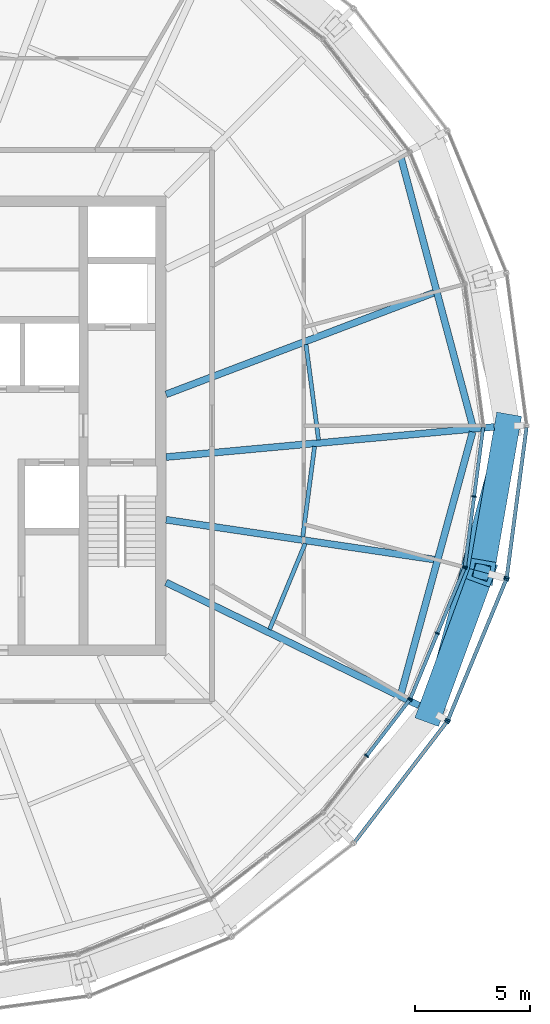
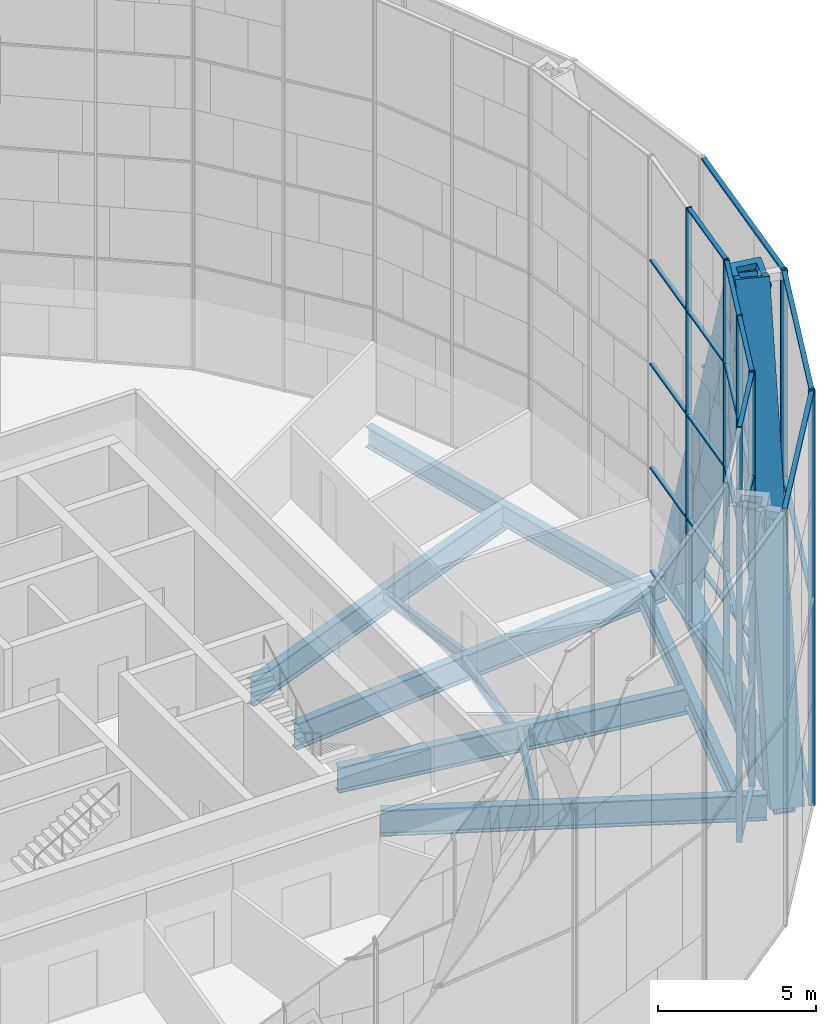
# One storey, part 6 of 28: 44 members, 10 beams, 6 elements without a shape of their own.
"""IFC4 building model written with IfcOpenShell, lengths in metres."""

from ifc_helpers import new_model, si_unit, direction, frame, origin, origin_2d, place, context, subcontext, project, spatial, rectangle, hollow_rectangle, i_section, extrude, material, material_profile, profile_set, type_object, element, aggregate, save


model = new_model("IFC4")

# Units and contexts
model_context = context("Model", 3, precision=1e-05, world=origin(), true_north=direction((0.0, 1.0)))
body_context = subcontext(model_context, "Body", "Model", "MODEL_VIEW")
ifc_project = project(units=[si_unit("LENGTHUNIT", "METRE"), si_unit("AREAUNIT", "SQUARE_METRE"), si_unit("VOLUMEUNIT", "CUBIC_METRE"), si_unit("PLANEANGLEUNIT", "RADIAN"), si_unit("MASSUNIT", "GRAM", prefix="KILO")], contexts=[model_context])

# Site, building, storey
site_placement = place(None, origin())
site = spatial("IfcSite", under=ifc_project, at=site_placement, CompositionType="ELEMENT")
building_placement = place(site_placement, origin())
building = spatial("IfcBuilding", under=site, at=building_placement, Name="Golbaran Civic Tower", CompositionType="ELEMENT")
storey_placement = place(building_placement, frame((0.0, 0.0, 183.0)))
storey = spatial("IfcBuildingStorey", under=building, at=storey_placement, Name="L44", CompositionType="ELEMENT", Elevation=183.0)

# Members
ifc_material_1 = material(Name="Steel S355", Category="steel")
ifc_material_profile_1 = material_profile(ifc_material_1, hollow_rectangle(XDim=1.10009765625, YDim=1.10009765625, WallThickness=0.199951171875, at=origin_2d()), Name="BOX 1100x1100x200")
ifc_profile_set_1 = profile_set([ifc_material_profile_1], Name="Steel S355")
member_type_1 = type_object("IfcMemberType", Name="DIAGRID DIAGONAL BOX 1100x1100x200", PredefinedType="BRACE", material=ifc_profile_set_1)
for number, where, z_axis, x_axis, name in (
    (1, (24.846923828125, 0.0, -0.7099609375), (-0.064127942686, -0.368693220348, 0.927336463338), (0.985208424474, -0.171360323139, 0.0), "Diagonal D10-00L L44-L48"),
    (2, (21.51806640625, -12.423583984375, -0.7099609375), (0.128807878317, 0.351359818356, 0.927337483621), (-0.938897090127, 0.344197986848, 0.0), "Diagonal D10-11R L44-L48"),
):
    element("IfcMember", number, at=place(storey_placement, frame(where, z_axis=z_axis, x_axis=x_axis)), inside=storey, type_object=member_type_1, Name=name, PredefinedType="BRACE", context=body_context, shape_type="SweptSolid", body=[
        extrude(hollow_rectangle(XDim=1.10009765625, YDim=1.10009765625, WallThickness=0.199951171875, at=origin_2d()), origin(), (0.0, 0.0, 1.0), 17.253662109375),
    ])

# Beams
ifc_material_profile_2 = material_profile(ifc_material_1, hollow_rectangle(XDim=0.699951171875, YDim=0.699951171875, WallThickness=0.080078125, at=origin_2d()), Name="BOX 700x700x80")
ifc_profile_set_2 = profile_set([ifc_material_profile_2], Name="Steel S355")
beam_type_1 = type_object("IfcBeamType", Name="DIAGRID RING TIE BOX 700x700x80", PredefinedType="BEAM", material=ifc_profile_set_2)
beam_1_placement = place(storey_placement, frame((21.51806640625, -12.423583984375, -0.7099609375), z_axis=(0.258816732935, 0.965926445829, 0.0), x_axis=(-0.965926445829, 0.258816732935, 0.0)))
element("IfcBeam", 3, at=beam_1_placement, inside=storey, type_object=beam_type_1, Name="Ring tie 330.00 L44", PredefinedType="BEAM", context=body_context, shape_type="SweptSolid", body=[
    extrude(hollow_rectangle(XDim=0.699951171875, YDim=0.699951171875, WallThickness=0.080078125, at=origin_2d()), origin(), (0.0, 0.0, 1.0), 12.86181640625),
])
ifc_material_profile_3 = material_profile(ifc_material_1, i_section(OverallWidth=0.300048828125, OverallDepth=0.800048828125, WebThickness=0.017578125, FlangeThickness=0.032958984375, FilletRadius=0.030029296875, at=origin_2d()), Name="HEB 800")
ifc_profile_set_3 = profile_set([ifc_material_profile_3], Name="Steel S355")
beam_type_2 = type_object("IfcBeamType", Name="EDGE BEAM HEB 800", PredefinedType="BEAM", material=ifc_profile_set_3)
beam_2_placement = place(storey_placement, frame((23.34375, -0.007568359375, -0.60009765625), z_axis=(-0.258178863728, 0.966097135036, 0.0), x_axis=(-0.966097135036, -0.258178863728, 0.0)))
element("IfcBeam", 4, at=beam_2_placement, inside=storey, type_object=beam_type_2, Name="Edge beam 0.00 L44", PredefinedType="BEAM", context=body_context, shape_type="SweptSolid", body=[
    extrude(i_section(OverallWidth=0.300048828125, OverallDepth=0.800048828125, WebThickness=0.017578125, FlangeThickness=0.032958984375, FilletRadius=0.030029296875, at=origin_2d()), origin(), (0.0, 0.0, 1.0), 12.068115234375),
])
beam_3_placement = place(storey_placement, frame((20.228759765625, -11.65185546875, -0.60009765625), z_axis=(0.263754546618, 0.964589829481, 0.0), x_axis=(-0.964589829481, 0.263754546618, 0.0)))
element("IfcBeam", 5, at=beam_3_placement, inside=storey, type_object=beam_type_2, Name="Edge beam 330.00 L44", PredefinedType="BEAM", context=body_context, shape_type="SweptSolid", body=[
    extrude(i_section(OverallWidth=0.300048828125, OverallDepth=0.800048828125, WebThickness=0.017578125, FlangeThickness=0.032958984375, FilletRadius=0.030029296875, at=origin_2d()), origin(), (0.0, 0.0, 1.0), 11.801025390625),
])
ifc_material_profile_4 = material_profile(ifc_material_1, i_section(OverallWidth=0.179931640625, OverallDepth=0.39990234375, WebThickness=0.008544921875, FlangeThickness=0.013427734375, FilletRadius=0.02099609375, at=origin_2d()), Name="IPE 400")
ifc_profile_set_4 = profile_set([ifc_material_profile_4], Name="Steel S355")
beam_type_3 = type_object("IfcBeamType", Name="FLOOR INFILL BEAM IPE 400", PredefinedType="BEAM", material=ifc_profile_set_4)
beam_4_placement = place(storey_placement, frame((16.638427734375, -0.623779296875, -0.39990234375), z_axis=(-0.130540286617, 0.991443005709, 0.0), x_axis=(-0.991443005709, -0.130540286617, 0.0)))
element("IfcBeam", 6, at=beam_4_placement, inside=storey, type_object=beam_type_3, Name="Infill beam 7.50 L44", PredefinedType="BEAM", context=body_context, shape_type="SweptSolid", body=[
    extrude(i_section(OverallWidth=0.179931640625, OverallDepth=0.39990234375, WebThickness=0.008544921875, FlangeThickness=0.013427734375, FilletRadius=0.02099609375, at=origin_2d()), origin(), (0.0, 0.0, 1.0), 4.19677734375),
])
beam_5_placement = place(storey_placement, frame((14.505126953125, -8.8681640625, -0.39990234375), z_axis=(0.382711690348, 0.923867827165, 0.0), x_axis=(-0.923867827165, 0.382711690348, 0.0)))
element("IfcBeam", 7, at=beam_5_placement, inside=storey, type_object=beam_type_3, Name="Infill beam 337.50 L44", PredefinedType="BEAM", context=body_context, shape_type="SweptSolid", body=[
    extrude(i_section(OverallWidth=0.179931640625, OverallDepth=0.39990234375, WebThickness=0.008544921875, FlangeThickness=0.013427734375, FilletRadius=0.02099609375, at=origin_2d()), origin(), (0.0, 0.0, 1.0), 4.053955078125),
])
beam_6_placement = place(storey_placement, frame((15.945556640625, -4.84326171875, -0.39990234375), z_axis=(0.130530746869, 0.991444261732, 0.0), x_axis=(-0.991444261732, 0.130530746869, 0.0)))
element("IfcBeam", 8, at=beam_6_placement, inside=storey, type_object=beam_type_3, Name="Infill beam 352.50 L44", PredefinedType="BEAM", context=body_context, shape_type="SweptSolid", body=[
    extrude(i_section(OverallWidth=0.179931640625, OverallDepth=0.39990234375, WebThickness=0.008544921875, FlangeThickness=0.013427734375, FilletRadius=0.02099609375, at=origin_2d()), origin(), (0.0, 0.0, 1.0), 3.976318359375),
])

# Curtain wall, members
ifc_material_2 = material(Name="Aluminium and glass", Category="aluminium")
curtain_wall_type_1 = type_object("IfcCurtainWallType", Name="INNER SKIN CURTAIN WALL EXECUTIVE", PredefinedType="NOTDEFINED", material=ifc_material_2)
curtain_wall_1_placement = place(storey_placement, origin())
curtain_wall_1 = element("IfcCurtainWall", 9, at=curtain_wall_1_placement, inside=storey, type_object=curtain_wall_type_1, Name="Inner skin L44 facet 22 CW2", ObjectType="INNER SKIN", PredefinedType="USERDEFINED")
ifc_material_3 = material(Name="Aluminium", Category="aluminium")
ifc_material_profile_5 = material_profile(ifc_material_3, rectangle(XDim=0.199951171875, YDim=0.06005859375, at=origin_2d()), Name="INNER SKIN CURTAIN WALL EXECUTIVE MULLION")
ifc_profile_set_5 = profile_set([ifc_material_profile_5], Name="Aluminium")
member_type_2 = type_object("IfcMemberType", Name="INNER SKIN CURTAIN WALL EXECUTIVE MULLION", PredefinedType="MULLION", material=ifc_profile_set_5)
member_1_placement = place(storey_placement, frame((18.729736328125, -14.371826171875, 0.0), z_axis=(0.0, 0.0, 1.0), x_axis=(-0.793353340334, 0.608761428953, 0.0)))
member_1 = element("IfcMember", 10, at=member_1_placement, type_object=member_type_2, Name="CW2 mullion 2", PredefinedType="MULLION", context=body_context, shape_type="SweptSolid", body=[
    extrude(rectangle(XDim=0.199951171875, YDim=0.06005859375, at=origin_2d()), origin(), (0.0, 0.0, 1.0), 16.0),
])
member_2_placement = place(storey_placement, frame((20.603515625, -11.9296875, 0.0), z_axis=(0.0, 0.0, 1.0), x_axis=(-0.793353340334, 0.608761428953, 0.0)))
member_2 = element("IfcMember", 11, at=member_2_placement, type_object=member_type_2, Name="CW2 mullion 3", PredefinedType="MULLION", context=body_context, shape_type="SweptSolid", body=[
    extrude(rectangle(XDim=0.199951171875, YDim=0.06005859375, at=origin_2d()), origin(), (0.0, 0.0, 1.0), 16.0),
])

curtain_wall_2_placement = place(storey_placement, origin())
curtain_wall_2 = element("IfcCurtainWall", 12, at=curtain_wall_2_placement, inside=storey, type_object=curtain_wall_type_1, Name="Inner skin L44 facet 23 CW2", ObjectType="INNER SKIN", PredefinedType="USERDEFINED")
member_3_placement = place(storey_placement, frame((20.63330078125, -11.878173828125, 0.0), z_axis=(0.0, 0.0, 1.0), x_axis=(-0.923879532491, 0.382683432413, 0.0)))
member_3 = element("IfcMember", 13, at=member_3_placement, type_object=member_type_2, Name="CW2 mullion 1", PredefinedType="MULLION", context=body_context, shape_type="SweptSolid", body=[
    extrude(rectangle(XDim=0.199951171875, YDim=0.06005859375, at=origin_2d()), origin(), (0.0, 0.0, 1.0), 16.0),
])
member_4_placement = place(storey_placement, frame((21.811279296875, -9.034423828125, 0.0), z_axis=(0.0, 0.0, 1.0), x_axis=(-0.923879532491, 0.382683432413, 0.0)))
member_4 = element("IfcMember", 14, at=member_4_placement, type_object=member_type_2, Name="CW2 mullion 2", PredefinedType="MULLION", context=body_context, shape_type="SweptSolid", body=[
    extrude(rectangle(XDim=0.199951171875, YDim=0.06005859375, at=origin_2d()), origin(), (0.0, 0.0, 1.0), 16.0),
])
member_5_placement = place(storey_placement, frame((22.9892578125, -6.190673828125, 0.0), z_axis=(0.0, 0.0, 1.0), x_axis=(-0.923879532491, 0.382683432413, 0.0)))
member_5 = element("IfcMember", 15, at=member_5_placement, type_object=member_type_2, Name="CW2 mullion 3", PredefinedType="MULLION", context=body_context, shape_type="SweptSolid", body=[
    extrude(rectangle(XDim=0.199951171875, YDim=0.06005859375, at=origin_2d()), origin(), (0.0, 0.0, 1.0), 16.0),
])

curtain_wall_3_placement = place(storey_placement, origin())
curtain_wall_3 = element("IfcCurtainWall", 16, at=curtain_wall_3_placement, inside=storey, type_object=curtain_wall_type_1, Name="Inner skin L44 facet 24 CW2", ObjectType="INNER SKIN", PredefinedType="USERDEFINED")
member_6_placement = place(storey_placement, frame((23.004638671875, -6.13330078125, 0.0), z_axis=(0.0, 0.0, 1.0), x_axis=(-0.991444861383, 0.130526192151, 0.0)))
member_6 = element("IfcMember", 17, at=member_6_placement, type_object=member_type_2, Name="CW2 mullion 1", PredefinedType="MULLION", context=body_context, shape_type="SweptSolid", body=[
    extrude(rectangle(XDim=0.199951171875, YDim=0.06005859375, at=origin_2d()), origin(), (0.0, 0.0, 1.0), 16.0),
])
member_7_placement = place(storey_placement, frame((23.40625, -3.08154296875, 0.0), z_axis=(0.0, 0.0, 1.0), x_axis=(-0.991444861383, 0.130526192151, 0.0)))
member_7 = element("IfcMember", 18, at=member_7_placement, type_object=member_type_2, Name="CW2 mullion 2", PredefinedType="MULLION", context=body_context, shape_type="SweptSolid", body=[
    extrude(rectangle(XDim=0.199951171875, YDim=0.06005859375, at=origin_2d()), origin(), (0.0, 0.0, 1.0), 16.0),
])

# Member
ifc_material_profile_6 = material_profile(ifc_material_3, rectangle(XDim=0.14990234375, YDim=0.06005859375, at=origin_2d()), Name="INNER SKIN CURTAIN WALL EXECUTIVE TRANSOM")
ifc_profile_set_6 = profile_set([ifc_material_profile_6], Name="Aluminium")
member_type_3 = type_object("IfcMemberType", Name="INNER SKIN CURTAIN WALL EXECUTIVE TRANSOM", PredefinedType="USERDEFINED", material=ifc_profile_set_6)
member_8_placement = place(storey_placement, frame((18.748046875, -14.347900390625, 0.030029296875), z_axis=(0.608752479135, 0.793360207691, 0.0), x_axis=(-0.793360207691, 0.608752479135, 0.0)))
member_8 = element("IfcMember", 19, at=member_8_placement, type_object=member_type_3, Name="CW2 transom 2.1", ObjectType="TRANSOM", PredefinedType="USERDEFINED", context=body_context, shape_type="SweptSolid", body=[
    extrude(rectangle(XDim=0.14990234375, YDim=0.06005859375, at=origin_2d()), origin(), (0.0, 0.0, 1.0), 3.017822265625),
])

member_9_placement = place(storey_placement, frame((18.748046875, -14.347900390625, 4.0), z_axis=(0.608752479135, 0.793360207691, 0.0), x_axis=(-0.793360207691, 0.608752479135, 0.0)))
member_9 = element("IfcMember", 20, at=member_9_placement, type_object=member_type_3, Name="CW2 transom 2.2", ObjectType="TRANSOM", PredefinedType="USERDEFINED", context=body_context, shape_type="SweptSolid", body=[
    extrude(rectangle(XDim=0.14990234375, YDim=0.06005859375, at=origin_2d()), origin(), (0.0, 0.0, 1.0), 3.017822265625),
])

member_10_placement = place(storey_placement, frame((18.748046875, -14.347900390625, 8.0), z_axis=(0.608752479135, 0.793360207691, 0.0), x_axis=(-0.793360207691, 0.608752479135, 0.0)))
member_10 = element("IfcMember", 21, at=member_10_placement, type_object=member_type_3, Name="CW2 transom 2.3", ObjectType="TRANSOM", PredefinedType="USERDEFINED", context=body_context, shape_type="SweptSolid", body=[
    extrude(rectangle(XDim=0.14990234375, YDim=0.06005859375, at=origin_2d()), origin(), (0.0, 0.0, 1.0), 3.017822265625),
])

member_11_placement = place(storey_placement, frame((18.748046875, -14.347900390625, 12.0), z_axis=(0.608752479135, 0.793360207691, 0.0), x_axis=(-0.793360207691, 0.608752479135, 0.0)))
member_11 = element("IfcMember", 22, at=member_11_placement, type_object=member_type_3, Name="CW2 transom 2.4", ObjectType="TRANSOM", PredefinedType="USERDEFINED", context=body_context, shape_type="SweptSolid", body=[
    extrude(rectangle(XDim=0.14990234375, YDim=0.06005859375, at=origin_2d()), origin(), (0.0, 0.0, 1.0), 3.017822265625),
])

member_12_placement = place(storey_placement, frame((18.748046875, -14.347900390625, 15.969970703125), z_axis=(0.608752479135, 0.793360207691, 0.0), x_axis=(-0.793360207691, 0.608752479135, 0.0)))
member_12 = element("IfcMember", 23, at=member_12_placement, type_object=member_type_3, Name="CW2 transom 2.5", ObjectType="TRANSOM", PredefinedType="USERDEFINED", context=body_context, shape_type="SweptSolid", body=[
    extrude(rectangle(XDim=0.14990234375, YDim=0.06005859375, at=origin_2d()), origin(), (0.0, 0.0, 1.0), 3.017822265625),
])

aggregate(curtain_wall_1, [member_1, member_2, member_8, member_9, member_10, member_11, member_12])

member_13_placement = place(storey_placement, frame((20.644775390625, -11.8505859375, 0.030029296875), z_axis=(0.382701860943, 0.923871898929, 0.0), x_axis=(-0.923871898929, 0.382701860943, 0.0)))
member_13 = element("IfcMember", 24, at=member_13_placement, type_object=member_type_3, Name="CW2 transom 1.1", ObjectType="TRANSOM", PredefinedType="USERDEFINED", context=body_context, shape_type="SweptSolid", body=[
    extrude(rectangle(XDim=0.14990234375, YDim=0.06005859375, at=origin_2d()), origin(), (0.0, 0.0, 1.0), 3.01806640625),
])

member_14_placement = place(storey_placement, frame((20.644775390625, -11.8505859375, 4.0), z_axis=(0.382701860943, 0.923871898929, 0.0), x_axis=(-0.923871898929, 0.382701860943, 0.0)))
member_14 = element("IfcMember", 25, at=member_14_placement, type_object=member_type_3, Name="CW2 transom 1.2", ObjectType="TRANSOM", PredefinedType="USERDEFINED", context=body_context, shape_type="SweptSolid", body=[
    extrude(rectangle(XDim=0.14990234375, YDim=0.06005859375, at=origin_2d()), origin(), (0.0, 0.0, 1.0), 3.01806640625),
])

member_15_placement = place(storey_placement, frame((20.644775390625, -11.8505859375, 8.0), z_axis=(0.382701860943, 0.923871898929, 0.0), x_axis=(-0.923871898929, 0.382701860943, 0.0)))
member_15 = element("IfcMember", 26, at=member_15_placement, type_object=member_type_3, Name="CW2 transom 1.3", ObjectType="TRANSOM", PredefinedType="USERDEFINED", context=body_context, shape_type="SweptSolid", body=[
    extrude(rectangle(XDim=0.14990234375, YDim=0.06005859375, at=origin_2d()), origin(), (0.0, 0.0, 1.0), 3.01806640625),
])

member_16_placement = place(storey_placement, frame((20.644775390625, -11.8505859375, 12.0), z_axis=(0.382701860943, 0.923871898929, 0.0), x_axis=(-0.923871898929, 0.382701860943, 0.0)))
member_16 = element("IfcMember", 27, at=member_16_placement, type_object=member_type_3, Name="CW2 transom 1.4", ObjectType="TRANSOM", PredefinedType="USERDEFINED", context=body_context, shape_type="SweptSolid", body=[
    extrude(rectangle(XDim=0.14990234375, YDim=0.06005859375, at=origin_2d()), origin(), (0.0, 0.0, 1.0), 3.01806640625),
])

member_17_placement = place(storey_placement, frame((20.644775390625, -11.8505859375, 15.969970703125), z_axis=(0.382701860943, 0.923871898929, 0.0), x_axis=(-0.923871898929, 0.382701860943, 0.0)))
member_17 = element("IfcMember", 28, at=member_17_placement, type_object=member_type_3, Name="CW2 transom 1.5", ObjectType="TRANSOM", PredefinedType="USERDEFINED", context=body_context, shape_type="SweptSolid", body=[
    extrude(rectangle(XDim=0.14990234375, YDim=0.06005859375, at=origin_2d()), origin(), (0.0, 0.0, 1.0), 3.01806640625),
])

member_18_placement = place(storey_placement, frame((21.82275390625, -9.0068359375, 0.030029296875), z_axis=(0.382701860943, 0.923871898929, 0.0), x_axis=(-0.923871898929, 0.382701860943, 0.0)))
member_18 = element("IfcMember", 29, at=member_18_placement, type_object=member_type_3, Name="CW2 transom 2.1", ObjectType="TRANSOM", PredefinedType="USERDEFINED", context=body_context, shape_type="SweptSolid", body=[
    extrude(rectangle(XDim=0.14990234375, YDim=0.06005859375, at=origin_2d()), origin(), (0.0, 0.0, 1.0), 3.01806640625),
])

member_19_placement = place(storey_placement, frame((21.82275390625, -9.0068359375, 4.0), z_axis=(0.382701860943, 0.923871898929, 0.0), x_axis=(-0.923871898929, 0.382701860943, 0.0)))
member_19 = element("IfcMember", 30, at=member_19_placement, type_object=member_type_3, Name="CW2 transom 2.2", ObjectType="TRANSOM", PredefinedType="USERDEFINED", context=body_context, shape_type="SweptSolid", body=[
    extrude(rectangle(XDim=0.14990234375, YDim=0.06005859375, at=origin_2d()), origin(), (0.0, 0.0, 1.0), 3.01806640625),
])

member_20_placement = place(storey_placement, frame((21.82275390625, -9.0068359375, 8.0), z_axis=(0.382701860943, 0.923871898929, 0.0), x_axis=(-0.923871898929, 0.382701860943, 0.0)))
member_20 = element("IfcMember", 31, at=member_20_placement, type_object=member_type_3, Name="CW2 transom 2.3", ObjectType="TRANSOM", PredefinedType="USERDEFINED", context=body_context, shape_type="SweptSolid", body=[
    extrude(rectangle(XDim=0.14990234375, YDim=0.06005859375, at=origin_2d()), origin(), (0.0, 0.0, 1.0), 3.01806640625),
])

member_21_placement = place(storey_placement, frame((21.82275390625, -9.0068359375, 12.0), z_axis=(0.382701860943, 0.923871898929, 0.0), x_axis=(-0.923871898929, 0.382701860943, 0.0)))
member_21 = element("IfcMember", 32, at=member_21_placement, type_object=member_type_3, Name="CW2 transom 2.4", ObjectType="TRANSOM", PredefinedType="USERDEFINED", context=body_context, shape_type="SweptSolid", body=[
    extrude(rectangle(XDim=0.14990234375, YDim=0.06005859375, at=origin_2d()), origin(), (0.0, 0.0, 1.0), 3.01806640625),
])

member_22_placement = place(storey_placement, frame((21.82275390625, -9.0068359375, 15.969970703125), z_axis=(0.382701860943, 0.923871898929, 0.0), x_axis=(-0.923871898929, 0.382701860943, 0.0)))
member_22 = element("IfcMember", 33, at=member_22_placement, type_object=member_type_3, Name="CW2 transom 2.5", ObjectType="TRANSOM", PredefinedType="USERDEFINED", context=body_context, shape_type="SweptSolid", body=[
    extrude(rectangle(XDim=0.14990234375, YDim=0.06005859375, at=origin_2d()), origin(), (0.0, 0.0, 1.0), 3.01806640625),
])

aggregate(curtain_wall_2, [member_3, member_4, member_5, member_13, member_14, member_15, member_16, member_17, member_18, member_19, member_20, member_21, member_22])

member_23_placement = place(storey_placement, frame((23.008544921875, -6.103515625, 0.030029296875), z_axis=(0.130483808769, 0.991450440339, 0.0), x_axis=(-0.991450440339, 0.130483808769, 0.0)))
member_23 = element("IfcMember", 34, at=member_23_placement, type_object=member_type_3, Name="CW2 transom 1.1", ObjectType="TRANSOM", PredefinedType="USERDEFINED", context=body_context, shape_type="SweptSolid", body=[
    extrude(rectangle(XDim=0.14990234375, YDim=0.06005859375, at=origin_2d()), origin(), (0.0, 0.0, 1.0), 3.01806640625),
])

member_24_placement = place(storey_placement, frame((23.008544921875, -6.103515625, 4.0), z_axis=(0.130483808769, 0.991450440339, 0.0), x_axis=(-0.991450440339, 0.130483808769, 0.0)))
member_24 = element("IfcMember", 35, at=member_24_placement, type_object=member_type_3, Name="CW2 transom 1.2", ObjectType="TRANSOM", PredefinedType="USERDEFINED", context=body_context, shape_type="SweptSolid", body=[
    extrude(rectangle(XDim=0.14990234375, YDim=0.06005859375, at=origin_2d()), origin(), (0.0, 0.0, 1.0), 3.01806640625),
])

member_25_placement = place(storey_placement, frame((23.008544921875, -6.103515625, 8.0), z_axis=(0.130483808769, 0.991450440339, 0.0), x_axis=(-0.991450440339, 0.130483808769, 0.0)))
member_25 = element("IfcMember", 36, at=member_25_placement, type_object=member_type_3, Name="CW2 transom 1.3", ObjectType="TRANSOM", PredefinedType="USERDEFINED", context=body_context, shape_type="SweptSolid", body=[
    extrude(rectangle(XDim=0.14990234375, YDim=0.06005859375, at=origin_2d()), origin(), (0.0, 0.0, 1.0), 3.01806640625),
])

member_26_placement = place(storey_placement, frame((23.008544921875, -6.103515625, 12.0), z_axis=(0.130483808769, 0.991450440339, 0.0), x_axis=(-0.991450440339, 0.130483808769, 0.0)))
member_26 = element("IfcMember", 37, at=member_26_placement, type_object=member_type_3, Name="CW2 transom 1.4", ObjectType="TRANSOM", PredefinedType="USERDEFINED", context=body_context, shape_type="SweptSolid", body=[
    extrude(rectangle(XDim=0.14990234375, YDim=0.06005859375, at=origin_2d()), origin(), (0.0, 0.0, 1.0), 3.01806640625),
])

member_27_placement = place(storey_placement, frame((23.008544921875, -6.103515625, 15.969970703125), z_axis=(0.130483808769, 0.991450440339, 0.0), x_axis=(-0.991450440339, 0.130483808769, 0.0)))
member_27 = element("IfcMember", 38, at=member_27_placement, type_object=member_type_3, Name="CW2 transom 1.5", ObjectType="TRANSOM", PredefinedType="USERDEFINED", context=body_context, shape_type="SweptSolid", body=[
    extrude(rectangle(XDim=0.14990234375, YDim=0.06005859375, at=origin_2d()), origin(), (0.0, 0.0, 1.0), 3.01806640625),
])

member_28_placement = place(storey_placement, frame((23.41015625, -3.0517578125, 0.030029296875), z_axis=(0.130563325295, 0.991439972004, 0.0), x_axis=(-0.991439972004, 0.130563325295, 0.0)))
member_28 = element("IfcMember", 39, at=member_28_placement, type_object=member_type_3, Name="CW2 transom 2.1", ObjectType="TRANSOM", PredefinedType="USERDEFINED", context=body_context, shape_type="SweptSolid", body=[
    extrude(rectangle(XDim=0.14990234375, YDim=0.06005859375, at=origin_2d()), origin(), (0.0, 0.0, 1.0), 3.01806640625),
])

member_29_placement = place(storey_placement, frame((23.41015625, -3.0517578125, 4.0), z_axis=(0.130563325295, 0.991439972004, 0.0), x_axis=(-0.991439972004, 0.130563325295, 0.0)))
member_29 = element("IfcMember", 40, at=member_29_placement, type_object=member_type_3, Name="CW2 transom 2.2", ObjectType="TRANSOM", PredefinedType="USERDEFINED", context=body_context, shape_type="SweptSolid", body=[
    extrude(rectangle(XDim=0.14990234375, YDim=0.06005859375, at=origin_2d()), origin(), (0.0, 0.0, 1.0), 3.01806640625),
])

member_30_placement = place(storey_placement, frame((23.41015625, -3.0517578125, 8.0), z_axis=(0.130563325295, 0.991439972004, 0.0), x_axis=(-0.991439972004, 0.130563325295, 0.0)))
member_30 = element("IfcMember", 41, at=member_30_placement, type_object=member_type_3, Name="CW2 transom 2.3", ObjectType="TRANSOM", PredefinedType="USERDEFINED", context=body_context, shape_type="SweptSolid", body=[
    extrude(rectangle(XDim=0.14990234375, YDim=0.06005859375, at=origin_2d()), origin(), (0.0, 0.0, 1.0), 3.01806640625),
])

member_31_placement = place(storey_placement, frame((23.41015625, -3.0517578125, 12.0), z_axis=(0.130563325295, 0.991439972004, 0.0), x_axis=(-0.991439972004, 0.130563325295, 0.0)))
member_31 = element("IfcMember", 42, at=member_31_placement, type_object=member_type_3, Name="CW2 transom 2.4", ObjectType="TRANSOM", PredefinedType="USERDEFINED", context=body_context, shape_type="SweptSolid", body=[
    extrude(rectangle(XDim=0.14990234375, YDim=0.06005859375, at=origin_2d()), origin(), (0.0, 0.0, 1.0), 3.01806640625),
])

aggregate(curtain_wall_3, [member_6, member_7, member_23, member_24, member_25, member_26, member_27, member_28, member_29, member_30, member_31])

# Curtain wall, member
curtain_wall_type_2 = type_object("IfcCurtainWallType", Name="OUTER SKIN TERRACOTTA SCREEN", PredefinedType="NOTDEFINED", material=ifc_material_2)
curtain_wall_4_placement = place(storey_placement, origin())
curtain_wall_4 = element("IfcCurtainWall", 43, at=curtain_wall_4_placement, inside=storey, type_object=curtain_wall_type_2, Name="Outer skin L44 facet 22 CW3", ObjectType="OUTER SKIN", PredefinedType="USERDEFINED")
ifc_material_profile_7 = material_profile(ifc_material_3, rectangle(XDim=0.219970703125, YDim=0.080078125, at=origin_2d()), Name="OUTER SKIN TERRACOTTA SCREEN MULLION")
ifc_profile_set_7 = profile_set([ifc_material_profile_7], Name="Aluminium")
member_type_4 = type_object("IfcMemberType", Name="OUTER SKIN TERRACOTTA SCREEN MULLION", PredefinedType="MULLION", material=ifc_profile_set_7)
member_32_placement = place(storey_placement, frame((22.22998046875, -12.880126953125, -0.7099609375), z_axis=(0.0, 0.0, 1.0), x_axis=(-0.793353340281, 0.608761429023, 0.0)))
member_32 = element("IfcMember", 44, at=member_32_placement, type_object=member_type_4, Name="CW3 mullion 2", PredefinedType="MULLION", context=body_context, shape_type="SweptSolid", body=[
    extrude(rectangle(XDim=0.219970703125, YDim=0.080078125, at=origin_2d()), origin(), (0.0, 0.0, 1.0), 16.0),
])

# Curtain wall, members
curtain_wall_5_placement = place(storey_placement, origin())
curtain_wall_5 = element("IfcCurtainWall", 45, at=curtain_wall_5_placement, inside=storey, type_object=curtain_wall_type_2, Name="Outer skin L44 facet 23 CW3", ObjectType="OUTER SKIN", PredefinedType="USERDEFINED")
member_33_placement = place(storey_placement, frame((22.26953125, -12.8115234375, -0.7099609375), z_axis=(0.0, 0.0, 1.0), x_axis=(-0.923879532518, 0.382683432349, 0.0)))
member_33 = element("IfcMember", 46, at=member_33_placement, type_object=member_type_4, Name="CW3 mullion 1", PredefinedType="MULLION", context=body_context, shape_type="SweptSolid", body=[
    extrude(rectangle(XDim=0.219970703125, YDim=0.080078125, at=origin_2d()), origin(), (0.0, 0.0, 1.0), 16.0),
])
member_34_placement = place(storey_placement, frame((24.80615234375, -6.687744140625, -0.7099609375), z_axis=(0.0, 0.0, 1.0), x_axis=(-0.923879532518, 0.382683432349, 0.0)))
member_34 = element("IfcMember", 47, at=member_34_placement, type_object=member_type_4, Name="CW3 mullion 2", PredefinedType="MULLION", context=body_context, shape_type="SweptSolid", body=[
    extrude(rectangle(XDim=0.219970703125, YDim=0.080078125, at=origin_2d()), origin(), (0.0, 0.0, 1.0), 16.0),
])

# Curtain wall, member
curtain_wall_6_placement = place(storey_placement, origin())
curtain_wall_6 = element("IfcCurtainWall", 48, at=curtain_wall_6_placement, inside=storey, type_object=curtain_wall_type_2, Name="Outer skin L44 facet 24 CW3", ObjectType="OUTER SKIN", PredefinedType="USERDEFINED")
member_35_placement = place(storey_placement, frame((24.82666015625, -6.611328125, -0.7099609375), z_axis=(0.0, 0.0, 1.0), x_axis=(-0.991444861372, 0.130526192237, 0.0)))
member_35 = element("IfcMember", 49, at=member_35_placement, type_object=member_type_4, Name="CW3 mullion 1", PredefinedType="MULLION", context=body_context, shape_type="SweptSolid", body=[
    extrude(rectangle(XDim=0.219970703125, YDim=0.080078125, at=origin_2d()), origin(), (0.0, 0.0, 1.0), 16.0),
])

# Member
ifc_material_profile_8 = material_profile(ifc_material_3, rectangle(XDim=0.159912109375, YDim=0.080078125, at=origin_2d()), Name="OUTER SKIN TERRACOTTA SCREEN TRANSOM")
ifc_profile_set_8 = profile_set([ifc_material_profile_8], Name="Aluminium")
member_type_5 = type_object("IfcMemberType", Name="OUTER SKIN TERRACOTTA SCREEN TRANSOM", PredefinedType="USERDEFINED", material=ifc_profile_set_8)
member_36_placement = place(storey_placement, frame((18.21923828125, -18.10693359375, 15.25), z_axis=(0.608762579401, 0.793352457563, 0.0), x_axis=(-0.793352457563, 0.608762579401, 0.0)))
member_36 = element("IfcMember", 50, at=member_36_placement, type_object=member_type_5, Name="CW3 transom 1.3", ObjectType="TRANSOM", PredefinedType="USERDEFINED", context=body_context, shape_type="SweptSolid", body=[
    extrude(rectangle(XDim=0.159912109375, YDim=0.080078125, at=origin_2d()), origin(), (0.0, 0.0, 1.0), 6.54833984375),
])

aggregate(curtain_wall_4, [member_32, member_36])

member_37_placement = place(storey_placement, frame((22.284912109375, -12.774658203125, -0.669921875), z_axis=(0.382676683396, 0.923882327997, 0.0), x_axis=(-0.923882327997, 0.382676683396, 0.0)))
member_37 = element("IfcMember", 51, at=member_37_placement, type_object=member_type_5, Name="CW3 transom 1.1", ObjectType="TRANSOM", PredefinedType="USERDEFINED", context=body_context, shape_type="SweptSolid", body=[
    extrude(rectangle(XDim=0.159912109375, YDim=0.080078125, at=origin_2d()), origin(), (0.0, 0.0, 1.0), 6.54833984375),
])

member_38_placement = place(storey_placement, frame((22.284912109375, -12.774658203125, 7.2900390625), z_axis=(0.382676683396, 0.923882327997, 0.0), x_axis=(-0.923882327997, 0.382676683396, 0.0)))
member_38 = element("IfcMember", 52, at=member_38_placement, type_object=member_type_5, Name="CW3 transom 1.2", ObjectType="TRANSOM", PredefinedType="USERDEFINED", context=body_context, shape_type="SweptSolid", body=[
    extrude(rectangle(XDim=0.159912109375, YDim=0.080078125, at=origin_2d()), origin(), (0.0, 0.0, 1.0), 6.54833984375),
])

member_39_placement = place(storey_placement, frame((22.284912109375, -12.774658203125, 15.25), z_axis=(0.382676683396, 0.923882327997, 0.0), x_axis=(-0.923882327997, 0.382676683396, 0.0)))
member_39 = element("IfcMember", 53, at=member_39_placement, type_object=member_type_5, Name="CW3 transom 1.3", ObjectType="TRANSOM", PredefinedType="USERDEFINED", context=body_context, shape_type="SweptSolid", body=[
    extrude(rectangle(XDim=0.159912109375, YDim=0.080078125, at=origin_2d()), origin(), (0.0, 0.0, 1.0), 6.54833984375),
])

aggregate(curtain_wall_5, [member_33, member_34, member_37, member_38, member_39])

member_40_placement = place(storey_placement, frame((24.831787109375, -6.571533203125, -0.669921875), z_axis=(0.130529739199, 0.991444394399, 0.0), x_axis=(-0.991444394399, 0.130529739199, 0.0)))
member_40 = element("IfcMember", 54, at=member_40_placement, type_object=member_type_5, Name="CW3 transom 1.1", ObjectType="TRANSOM", PredefinedType="USERDEFINED", context=body_context, shape_type="SweptSolid", body=[
    extrude(rectangle(XDim=0.159912109375, YDim=0.080078125, at=origin_2d()), origin(), (0.0, 0.0, 1.0), 6.548095703125),
])

member_41_placement = place(storey_placement, frame((24.831787109375, -6.571533203125, 7.2900390625), z_axis=(0.130529739199, 0.991444394399, 0.0), x_axis=(-0.991444394399, 0.130529739199, 0.0)))
member_41 = element("IfcMember", 55, at=member_41_placement, type_object=member_type_5, Name="CW3 transom 1.2", ObjectType="TRANSOM", PredefinedType="USERDEFINED", context=body_context, shape_type="SweptSolid", body=[
    extrude(rectangle(XDim=0.159912109375, YDim=0.080078125, at=origin_2d()), origin(), (0.0, 0.0, 1.0), 6.548095703125),
])

member_42_placement = place(storey_placement, frame((24.831787109375, -6.571533203125, 15.25), z_axis=(0.130529739199, 0.991444394399, 0.0), x_axis=(-0.991444394399, 0.130529739199, 0.0)))
member_42 = element("IfcMember", 56, at=member_42_placement, type_object=member_type_5, Name="CW3 transom 1.3", ObjectType="TRANSOM", PredefinedType="USERDEFINED", context=body_context, shape_type="SweptSolid", body=[
    extrude(rectangle(XDim=0.159912109375, YDim=0.080078125, at=origin_2d()), origin(), (0.0, 0.0, 1.0), 6.548095703125),
])

aggregate(curtain_wall_6, [member_35, member_40, member_41, member_42])

# Beams
ifc_material_profile_9 = material_profile(ifc_material_1, i_section(OverallWidth=0.300048828125, OverallDepth=1.0, WebThickness=0.01904296875, FlangeThickness=0.035888671875, FilletRadius=0.030029296875, at=origin_2d()), Name="HEB 1000")
ifc_profile_set_9 = profile_set([ifc_material_profile_9], Name="Steel S355")
beam_type_4 = type_object("IfcBeamType", Name="RADIAL FLOOR BEAM HEB 1000", PredefinedType="BEAM", material=ifc_profile_set_9)
beam_7_placement = place(storey_placement, frame((10.0, -1.3642578125, -0.7099609375), z_axis=(0.995805665948, 0.091493582643, 0.0), x_axis=(-0.091493582643, 0.995805665948, 0.0)))
element("IfcBeam", 57, at=beam_7_placement, inside=storey, type_object=beam_type_4, Name="Radial beam 0.00 L44", PredefinedType="BEAM", context=body_context, shape_type="SweptSolid", body=[
    extrude(i_section(OverallWidth=0.300048828125, OverallDepth=1.0, WebThickness=0.01904296875, FlangeThickness=0.035888671875, FilletRadius=0.030029296875, at=origin_2d()), origin(), (0.0, 0.0, 1.0), 14.33984375),
])
beam_8_placement = place(storey_placement, frame((10.0, -6.821533203125, -0.7099609375), z_axis=(0.899283428873, -0.437366339074, 0.0), x_axis=(0.437366339074, 0.899283428873, 0.0)))
element("IfcBeam", 58, at=beam_8_placement, inside=storey, type_object=beam_type_4, Name="Radial beam 330.00 L44", PredefinedType="BEAM", context=body_context, shape_type="SweptSolid", body=[
    extrude(i_section(OverallWidth=0.300048828125, OverallDepth=1.0, WebThickness=0.01904296875, FlangeThickness=0.035888671875, FilletRadius=0.030029296875, at=origin_2d()), origin(), (0.0, 0.0, 1.0), 12.241455078125),
])
ifc_material_profile_10 = material_profile(ifc_material_1, i_section(OverallWidth=0.300048828125, OverallDepth=1.0, WebThickness=0.01904296875, FlangeThickness=0.035888671875, FilletRadius=0.030029296875, at=origin_2d()), Name="HEB 1000")
ifc_profile_set_10 = profile_set([ifc_material_profile_10], Name="Steel S355")
beam_type_5 = type_object("IfcBeamType", Name="SECONDARY FLOOR BEAM HEB 1000", PredefinedType="BEAM", material=ifc_profile_set_10)
beam_9_placement = place(storey_placement, frame((10.0, 1.3642578125, -0.7099609375), z_axis=(0.934914874283, 0.354872058416, 0.0), x_axis=(-0.354872058416, 0.934914874283, 0.0)))
element("IfcBeam", 59, at=beam_9_placement, inside=storey, type_object=beam_type_5, Name="Secondary beam 15.00 L44", PredefinedType="BEAM", context=body_context, shape_type="SweptSolid", body=[
    extrude(i_section(OverallWidth=0.300048828125, OverallDepth=1.0, WebThickness=0.01904296875, FlangeThickness=0.035888671875, FilletRadius=0.030029296875, at=origin_2d()), origin(), (0.0, 0.0, 1.0), 12.602294921875),
])
beam_10_placement = place(storey_placement, frame((10.0, -4.0927734375, -0.7099609375), z_axis=(0.989174913409, -0.146741237155, 0.0), x_axis=(0.146741237155, 0.989174913409, 0.0)))
element("IfcBeam", 60, at=beam_10_placement, inside=storey, type_object=beam_type_5, Name="Secondary beam 345.00 L44", PredefinedType="BEAM", context=body_context, shape_type="SweptSolid", body=[
    extrude(i_section(OverallWidth=0.300048828125, OverallDepth=1.0, WebThickness=0.01904296875, FlangeThickness=0.035888671875, FilletRadius=0.030029296875, at=origin_2d()), origin(), (0.0, 0.0, 1.0), 11.94580078125),
])

save(model, "model.ifc")
